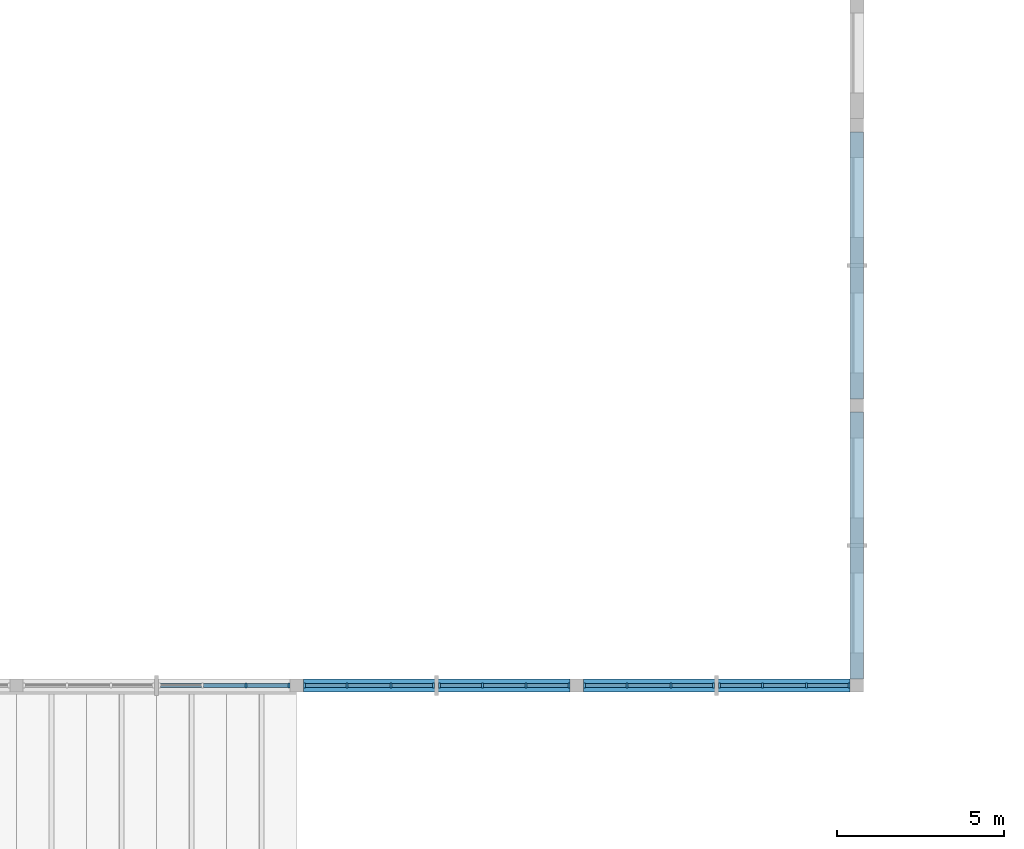
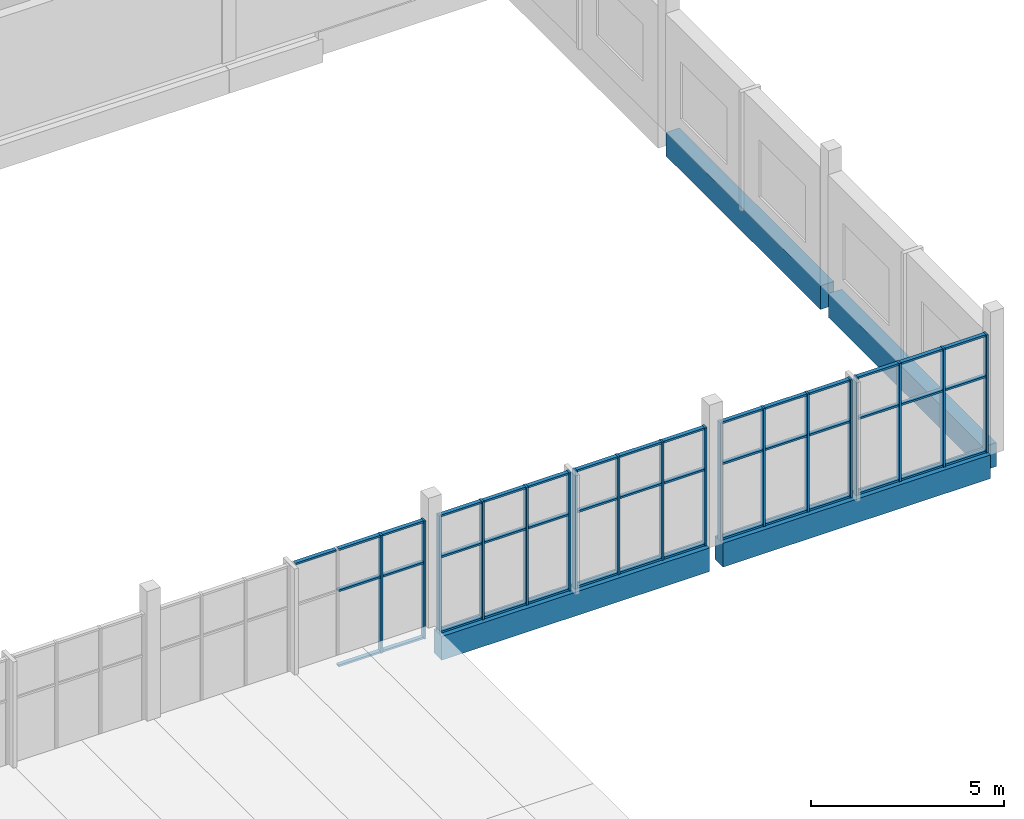
# One storey, part 20 of 60: 61 members, 4 beams, 5 elements without a shape of their own.
"""IFC4 building model written with IfcOpenShell, lengths in metres."""

from ifc_helpers import new_model, si_unit, direction, frame, origin, origin_2d, place, context, subcontext, project, spatial, rectangle, extrude, material, material_profile, profile_set, type_object, element, aggregate, save


model = new_model("IFC4")

# Units and contexts
model_context = context("Model", 3, precision=1e-05, world=origin(), true_north=direction((0.0, 1.0)))
body_context = subcontext(model_context, "Body", "Model", "MODEL_VIEW")
ifc_project = project(units=[si_unit("LENGTHUNIT", "METRE"), si_unit("AREAUNIT", "SQUARE_METRE"), si_unit("VOLUMEUNIT", "CUBIC_METRE"), si_unit("PLANEANGLEUNIT", "RADIAN"), si_unit("MASSUNIT", "GRAM", prefix="KILO")], contexts=[model_context])

# Site, building, storey
site_placement = place(None, origin())
site = spatial("IfcSite", under=ifc_project, at=site_placement, CompositionType="ELEMENT")
building_placement = place(site_placement, origin())
building = spatial("IfcBuilding", under=site, at=building_placement, Name="Fescue Hill Polytechnic", CompositionType="ELEMENT")
storey_placement = place(building_placement, frame((0.0, 0.0, 4.5)))
storey = spatial("IfcBuildingStorey", under=building, at=storey_placement, Name="L01", CompositionType="ELEMENT", Elevation=4.5)

# Beams
ifc_material_1 = material(Name="Concrete 35 MPa", Category="concrete")
ifc_material_profile_1 = material_profile(ifc_material_1, rectangle(XDim=0.39990234375, YDim=0.75, at=origin_2d()), Name="RC 400x750")
ifc_profile_set_1 = profile_set([ifc_material_profile_1], Name="Concrete 35 MPa")
beam_type = type_object("IfcBeamType", Name="Beam RC 400x750", PredefinedType="BEAM", material=ifc_profile_set_1)
for number, where, z_axis, x_axis, name in (
    (1, (143.0, 8.39990234375, -0.375), (1.0, 0.0, 0.0), (0.0, 1.0, 0.0), "BM-L01-0153"),
    (2, (151.39990234375, 8.39990234375, -0.375), (1.0, 0.0, 0.0), (0.0, 1.0, 0.0), "BM-L01-0154"),
    (3, (159.60009765625, 8.60009765625, -0.375), (0.0, 1.0, 0.0), (-1.0, 0.0, 0.0), "BM-L01-0156"),
    (4, (159.60009765625, 17.0, -0.375), (0.0, 1.0, 0.0), (-1.0, 0.0, 0.0), "BM-L01-0157"),
):
    element("IfcBeam", number, at=place(storey_placement, frame(where, z_axis=z_axis, x_axis=x_axis)), inside=storey, type_object=beam_type, Name=name, PredefinedType="BEAM", context=body_context, shape_type="SweptSolid", body=[
        extrude(rectangle(XDim=0.39990234375, YDim=0.75, at=origin_2d()), origin(), (0.0, 0.0, 1.0), 8.0),
    ])

# Curtain wall, members
ifc_material_2 = material(Name="Glass", Category="glass")
curtain_wall_type = type_object("IfcCurtainWallType", Name="Curtain wall structural glazing", PredefinedType="NOTDEFINED", material=ifc_material_2)
curtain_wall_1_placement = place(storey_placement, origin())
curtain_wall_1 = element("IfcCurtainWall", 5, at=curtain_wall_1_placement, inside=storey, type_object=curtain_wall_type, Name="CW-L01-V3-4", PredefinedType="NOTDEFINED")
ifc_material_3 = material(Name="Powder-coated aluminium", Category="aluminium")
ifc_material_profile_2 = material_profile(ifc_material_3, rectangle(XDim=0.159912109375, YDim=0.06005859375, at=origin_2d()), Name="Mullion aluminium 60x160")
ifc_profile_set_2 = profile_set([ifc_material_profile_2], Name="Powder-coated aluminium")
member_type_1 = type_object("IfcMemberType", Name="Mullion aluminium 60x160", PredefinedType="MULLION", material=ifc_profile_set_2)
member_1_placement = place(storey_placement, frame((141.28662109375, 8.39990234375, 0.0), z_axis=(0.0, 0.0, 1.0), x_axis=(0.0, 1.0, 0.0)))
member_1 = element("IfcMember", 6, at=member_1_placement, type_object=member_type_1, Name="CW57 mullion 3", PredefinedType="MULLION", context=body_context, shape_type="SweptSolid", body=[
    extrude(rectangle(XDim=0.159912109375, YDim=0.06005859375, at=origin_2d()), origin(), (0.0, 0.0, 1.0), 3.72998046875),
])
member_2_placement = place(storey_placement, frame((142.570068359375, 8.39990234375, 0.0), z_axis=(0.0, 0.0, 1.0), x_axis=(0.0, 1.0, 0.0)))
member_2 = element("IfcMember", 7, at=member_2_placement, type_object=member_type_1, Name="CW57 mullion 4", PredefinedType="MULLION", context=body_context, shape_type="SweptSolid", body=[
    extrude(rectangle(XDim=0.159912109375, YDim=0.06005859375, at=origin_2d()), origin(), (0.0, 0.0, 1.0), 3.72998046875),
])

curtain_wall_2_placement = place(storey_placement, origin())
curtain_wall_2 = element("IfcCurtainWall", 8, at=curtain_wall_2_placement, inside=storey, type_object=curtain_wall_type, Name="CW-L01-V3-5", PredefinedType="NOTDEFINED")
member_3_placement = place(storey_placement, frame((143.030029296875, 8.39990234375, 0.0), z_axis=(0.0, 0.0, 1.0), x_axis=(0.0, 1.0, 0.0)))
member_3 = element("IfcMember", 9, at=member_3_placement, type_object=member_type_1, Name="CW58 mullion 1", PredefinedType="MULLION", context=body_context, shape_type="SweptSolid", body=[
    extrude(rectangle(XDim=0.159912109375, YDim=0.06005859375, at=origin_2d()), origin(), (0.0, 0.0, 1.0), 3.72998046875),
])
member_4_placement = place(storey_placement, frame((144.313232421875, 8.39990234375, 0.0), z_axis=(0.0, 0.0, 1.0), x_axis=(0.0, 1.0, 0.0)))
member_4 = element("IfcMember", 10, at=member_4_placement, type_object=member_type_1, Name="CW58 mullion 2", PredefinedType="MULLION", context=body_context, shape_type="SweptSolid", body=[
    extrude(rectangle(XDim=0.159912109375, YDim=0.06005859375, at=origin_2d()), origin(), (0.0, 0.0, 1.0), 3.72998046875),
])
member_5_placement = place(storey_placement, frame((145.626708984375, 8.39990234375, 0.0), z_axis=(0.0, 0.0, 1.0), x_axis=(0.0, 1.0, 0.0)))
member_5 = element("IfcMember", 11, at=member_5_placement, type_object=member_type_1, Name="CW58 mullion 3", PredefinedType="MULLION", context=body_context, shape_type="SweptSolid", body=[
    extrude(rectangle(XDim=0.159912109375, YDim=0.06005859375, at=origin_2d()), origin(), (0.0, 0.0, 1.0), 3.72998046875),
])
member_6_placement = place(storey_placement, frame((146.909912109375, 8.39990234375, 0.0), z_axis=(0.0, 0.0, 1.0), x_axis=(0.0, 1.0, 0.0)))
member_6 = element("IfcMember", 12, at=member_6_placement, type_object=member_type_1, Name="CW58 mullion 4", PredefinedType="MULLION", context=body_context, shape_type="SweptSolid", body=[
    extrude(rectangle(XDim=0.159912109375, YDim=0.06005859375, at=origin_2d()), origin(), (0.0, 0.0, 1.0), 3.72998046875),
])

curtain_wall_3_placement = place(storey_placement, origin())
curtain_wall_3 = element("IfcCurtainWall", 13, at=curtain_wall_3_placement, inside=storey, type_object=curtain_wall_type, Name="CW-L01-V3-6", PredefinedType="NOTDEFINED")
member_7_placement = place(storey_placement, frame((147.090087890625, 8.39990234375, 0.0), z_axis=(0.0, 0.0, 1.0), x_axis=(0.0, 1.0, 0.0)))
member_7 = element("IfcMember", 14, at=member_7_placement, type_object=member_type_1, Name="CW59 mullion 1", PredefinedType="MULLION", context=body_context, shape_type="SweptSolid", body=[
    extrude(rectangle(XDim=0.159912109375, YDim=0.06005859375, at=origin_2d()), origin(), (0.0, 0.0, 1.0), 3.72998046875),
])
member_8_placement = place(storey_placement, frame((148.373291015625, 8.39990234375, 0.0), z_axis=(0.0, 0.0, 1.0), x_axis=(0.0, 1.0, 0.0)))
member_8 = element("IfcMember", 15, at=member_8_placement, type_object=member_type_1, Name="CW59 mullion 2", PredefinedType="MULLION", context=body_context, shape_type="SweptSolid", body=[
    extrude(rectangle(XDim=0.159912109375, YDim=0.06005859375, at=origin_2d()), origin(), (0.0, 0.0, 1.0), 3.72998046875),
])
member_9_placement = place(storey_placement, frame((149.686767578125, 8.39990234375, 0.0), z_axis=(0.0, 0.0, 1.0), x_axis=(0.0, 1.0, 0.0)))
member_9 = element("IfcMember", 16, at=member_9_placement, type_object=member_type_1, Name="CW59 mullion 3", PredefinedType="MULLION", context=body_context, shape_type="SweptSolid", body=[
    extrude(rectangle(XDim=0.159912109375, YDim=0.06005859375, at=origin_2d()), origin(), (0.0, 0.0, 1.0), 3.72998046875),
])
member_10_placement = place(storey_placement, frame((150.969970703125, 8.39990234375, 0.0), z_axis=(0.0, 0.0, 1.0), x_axis=(0.0, 1.0, 0.0)))
member_10 = element("IfcMember", 17, at=member_10_placement, type_object=member_type_1, Name="CW59 mullion 4", PredefinedType="MULLION", context=body_context, shape_type="SweptSolid", body=[
    extrude(rectangle(XDim=0.159912109375, YDim=0.06005859375, at=origin_2d()), origin(), (0.0, 0.0, 1.0), 3.72998046875),
])

curtain_wall_4_placement = place(storey_placement, origin())
curtain_wall_4 = element("IfcCurtainWall", 18, at=curtain_wall_4_placement, inside=storey, type_object=curtain_wall_type, Name="CW-L01-V3-7", PredefinedType="NOTDEFINED")
member_11_placement = place(storey_placement, frame((151.429931640625, 8.39990234375, 0.0), z_axis=(0.0, 0.0, 1.0), x_axis=(0.0, 1.0, 0.0)))
member_11 = element("IfcMember", 19, at=member_11_placement, type_object=member_type_1, Name="CW60 mullion 1", PredefinedType="MULLION", context=body_context, shape_type="SweptSolid", body=[
    extrude(rectangle(XDim=0.159912109375, YDim=0.06005859375, at=origin_2d()), origin(), (0.0, 0.0, 1.0), 3.72998046875),
])
member_12_placement = place(storey_placement, frame((152.71337890625, 8.39990234375, 0.0), z_axis=(0.0, 0.0, 1.0), x_axis=(0.0, 1.0, 0.0)))
member_12 = element("IfcMember", 20, at=member_12_placement, type_object=member_type_1, Name="CW60 mullion 2", PredefinedType="MULLION", context=body_context, shape_type="SweptSolid", body=[
    extrude(rectangle(XDim=0.159912109375, YDim=0.06005859375, at=origin_2d()), origin(), (0.0, 0.0, 1.0), 3.72998046875),
])
member_13_placement = place(storey_placement, frame((154.026611328125, 8.39990234375, 0.0), z_axis=(0.0, 0.0, 1.0), x_axis=(0.0, 1.0, 0.0)))
member_13 = element("IfcMember", 21, at=member_13_placement, type_object=member_type_1, Name="CW60 mullion 3", PredefinedType="MULLION", context=body_context, shape_type="SweptSolid", body=[
    extrude(rectangle(XDim=0.159912109375, YDim=0.06005859375, at=origin_2d()), origin(), (0.0, 0.0, 1.0), 3.72998046875),
])
member_14_placement = place(storey_placement, frame((155.31005859375, 8.39990234375, 0.0), z_axis=(0.0, 0.0, 1.0), x_axis=(0.0, 1.0, 0.0)))
member_14 = element("IfcMember", 22, at=member_14_placement, type_object=member_type_1, Name="CW60 mullion 4", PredefinedType="MULLION", context=body_context, shape_type="SweptSolid", body=[
    extrude(rectangle(XDim=0.159912109375, YDim=0.06005859375, at=origin_2d()), origin(), (0.0, 0.0, 1.0), 3.72998046875),
])

curtain_wall_5_placement = place(storey_placement, origin())
curtain_wall_5 = element("IfcCurtainWall", 23, at=curtain_wall_5_placement, inside=storey, type_object=curtain_wall_type, Name="CW-L01-V3-8", PredefinedType="NOTDEFINED")
member_15_placement = place(storey_placement, frame((155.489990234375, 8.39990234375, 0.0), z_axis=(0.0, 0.0, 1.0), x_axis=(0.0, 1.0, 0.0)))
member_15 = element("IfcMember", 24, at=member_15_placement, type_object=member_type_1, Name="CW61 mullion 1", PredefinedType="MULLION", context=body_context, shape_type="SweptSolid", body=[
    extrude(rectangle(XDim=0.159912109375, YDim=0.06005859375, at=origin_2d()), origin(), (0.0, 0.0, 1.0), 3.72998046875),
])
member_16_placement = place(storey_placement, frame((156.7734375, 8.39990234375, 0.0), z_axis=(0.0, 0.0, 1.0), x_axis=(0.0, 1.0, 0.0)))
member_16 = element("IfcMember", 25, at=member_16_placement, type_object=member_type_1, Name="CW61 mullion 2", PredefinedType="MULLION", context=body_context, shape_type="SweptSolid", body=[
    extrude(rectangle(XDim=0.159912109375, YDim=0.06005859375, at=origin_2d()), origin(), (0.0, 0.0, 1.0), 3.72998046875),
])
member_17_placement = place(storey_placement, frame((158.086669921875, 8.39990234375, 0.0), z_axis=(0.0, 0.0, 1.0), x_axis=(0.0, 1.0, 0.0)))
member_17 = element("IfcMember", 26, at=member_17_placement, type_object=member_type_1, Name="CW61 mullion 3", PredefinedType="MULLION", context=body_context, shape_type="SweptSolid", body=[
    extrude(rectangle(XDim=0.159912109375, YDim=0.06005859375, at=origin_2d()), origin(), (0.0, 0.0, 1.0), 3.72998046875),
])
member_18_placement = place(storey_placement, frame((159.3701171875, 8.39990234375, 0.0), z_axis=(0.0, 0.0, 1.0), x_axis=(0.0, 1.0, 0.0)))
member_18 = element("IfcMember", 27, at=member_18_placement, type_object=member_type_1, Name="CW61 mullion 4", PredefinedType="MULLION", context=body_context, shape_type="SweptSolid", body=[
    extrude(rectangle(XDim=0.159912109375, YDim=0.06005859375, at=origin_2d()), origin(), (0.0, 0.0, 1.0), 3.72998046875),
])

# Member
ifc_material_profile_3 = material_profile(ifc_material_3, rectangle(XDim=0.1201171875, YDim=0.06005859375, at=origin_2d()), Name="Transom aluminium 60x120")
ifc_profile_set_3 = profile_set([ifc_material_profile_3], Name="Powder-coated aluminium")
member_type_2 = type_object("IfcMemberType", Name="Transom aluminium 60x120", PredefinedType="USERDEFINED", material=ifc_profile_set_3)
member_19_placement = place(storey_placement, frame((138.719970703125, 8.39990234375, 3.699951171875), z_axis=(1.0, 0.0, 0.0), x_axis=(0.0, 1.0, 0.0)))
member_19 = element("IfcMember", 28, at=member_19_placement, type_object=member_type_2, Name="CW57 transom 1.3", ObjectType="TRANSOM", PredefinedType="USERDEFINED", context=body_context, shape_type="SweptSolid", body=[
    extrude(rectangle(XDim=0.1201171875, YDim=0.06005859375, at=origin_2d()), origin(), (0.0, 0.0, 1.0), 1.223388671875),
])

member_20_placement = place(storey_placement, frame((140.00341796875, 8.39990234375, 0.030029296875), z_axis=(1.0, 0.0, 0.0), x_axis=(0.0, 1.0, 0.0)))
member_20 = element("IfcMember", 29, at=member_20_placement, type_object=member_type_2, Name="CW57 transom 2.1", ObjectType="TRANSOM", PredefinedType="USERDEFINED", context=body_context, shape_type="SweptSolid", body=[
    extrude(rectangle(XDim=0.1201171875, YDim=0.06005859375, at=origin_2d()), origin(), (0.0, 0.0, 1.0), 1.253173828125),
])

member_21_placement = place(storey_placement, frame((140.00341796875, 8.39990234375, 2.39990234375), z_axis=(1.0, 0.0, 0.0), x_axis=(0.0, 1.0, 0.0)))
member_21 = element("IfcMember", 30, at=member_21_placement, type_object=member_type_2, Name="CW57 transom 2.2", ObjectType="TRANSOM", PredefinedType="USERDEFINED", context=body_context, shape_type="SweptSolid", body=[
    extrude(rectangle(XDim=0.1201171875, YDim=0.06005859375, at=origin_2d()), origin(), (0.0, 0.0, 1.0), 1.253173828125),
])

member_22_placement = place(storey_placement, frame((140.00341796875, 8.39990234375, 3.699951171875), z_axis=(1.0, 0.0, 0.0), x_axis=(0.0, 1.0, 0.0)))
member_22 = element("IfcMember", 31, at=member_22_placement, type_object=member_type_2, Name="CW57 transom 2.3", ObjectType="TRANSOM", PredefinedType="USERDEFINED", context=body_context, shape_type="SweptSolid", body=[
    extrude(rectangle(XDim=0.1201171875, YDim=0.06005859375, at=origin_2d()), origin(), (0.0, 0.0, 1.0), 1.253173828125),
])

member_23_placement = place(storey_placement, frame((141.316650390625, 8.39990234375, 0.030029296875), z_axis=(1.0, 0.0, 0.0), x_axis=(0.0, 1.0, 0.0)))
member_23 = element("IfcMember", 32, at=member_23_placement, type_object=member_type_2, Name="CW57 transom 3.1", ObjectType="TRANSOM", PredefinedType="USERDEFINED", context=body_context, shape_type="SweptSolid", body=[
    extrude(rectangle(XDim=0.1201171875, YDim=0.06005859375, at=origin_2d()), origin(), (0.0, 0.0, 1.0), 1.223388671875),
])

member_24_placement = place(storey_placement, frame((141.316650390625, 8.39990234375, 2.39990234375), z_axis=(1.0, 0.0, 0.0), x_axis=(0.0, 1.0, 0.0)))
member_24 = element("IfcMember", 33, at=member_24_placement, type_object=member_type_2, Name="CW57 transom 3.2", ObjectType="TRANSOM", PredefinedType="USERDEFINED", context=body_context, shape_type="SweptSolid", body=[
    extrude(rectangle(XDim=0.1201171875, YDim=0.06005859375, at=origin_2d()), origin(), (0.0, 0.0, 1.0), 1.223388671875),
])

member_25_placement = place(storey_placement, frame((141.316650390625, 8.39990234375, 3.699951171875), z_axis=(1.0, 0.0, 0.0), x_axis=(0.0, 1.0, 0.0)))
member_25 = element("IfcMember", 34, at=member_25_placement, type_object=member_type_2, Name="CW57 transom 3.3", ObjectType="TRANSOM", PredefinedType="USERDEFINED", context=body_context, shape_type="SweptSolid", body=[
    extrude(rectangle(XDim=0.1201171875, YDim=0.06005859375, at=origin_2d()), origin(), (0.0, 0.0, 1.0), 1.223388671875),
])

aggregate(curtain_wall_1, [member_1, member_2, member_19, member_20, member_21, member_22, member_23, member_24, member_25])

member_26_placement = place(storey_placement, frame((143.06005859375, 8.39990234375, 0.030029296875), z_axis=(1.0, 0.0, 0.0), x_axis=(0.0, 1.0, 0.0)))
member_26 = element("IfcMember", 35, at=member_26_placement, type_object=member_type_2, Name="CW58 transom 1.1", ObjectType="TRANSOM", PredefinedType="USERDEFINED", context=body_context, shape_type="SweptSolid", body=[
    extrude(rectangle(XDim=0.1201171875, YDim=0.06005859375, at=origin_2d()), origin(), (0.0, 0.0, 1.0), 1.223388671875),
])

member_27_placement = place(storey_placement, frame((143.06005859375, 8.39990234375, 2.39990234375), z_axis=(1.0, 0.0, 0.0), x_axis=(0.0, 1.0, 0.0)))
member_27 = element("IfcMember", 36, at=member_27_placement, type_object=member_type_2, Name="CW58 transom 1.2", ObjectType="TRANSOM", PredefinedType="USERDEFINED", context=body_context, shape_type="SweptSolid", body=[
    extrude(rectangle(XDim=0.1201171875, YDim=0.06005859375, at=origin_2d()), origin(), (0.0, 0.0, 1.0), 1.223388671875),
])

member_28_placement = place(storey_placement, frame((143.06005859375, 8.39990234375, 3.699951171875), z_axis=(1.0, 0.0, 0.0), x_axis=(0.0, 1.0, 0.0)))
member_28 = element("IfcMember", 37, at=member_28_placement, type_object=member_type_2, Name="CW58 transom 1.3", ObjectType="TRANSOM", PredefinedType="USERDEFINED", context=body_context, shape_type="SweptSolid", body=[
    extrude(rectangle(XDim=0.1201171875, YDim=0.06005859375, at=origin_2d()), origin(), (0.0, 0.0, 1.0), 1.223388671875),
])

member_29_placement = place(storey_placement, frame((144.34326171875, 8.39990234375, 0.030029296875), z_axis=(1.0, 0.0, 0.0), x_axis=(0.0, 1.0, 0.0)))
member_29 = element("IfcMember", 38, at=member_29_placement, type_object=member_type_2, Name="CW58 transom 2.1", ObjectType="TRANSOM", PredefinedType="USERDEFINED", context=body_context, shape_type="SweptSolid", body=[
    extrude(rectangle(XDim=0.1201171875, YDim=0.06005859375, at=origin_2d()), origin(), (0.0, 0.0, 1.0), 1.25341796875),
])

member_30_placement = place(storey_placement, frame((144.34326171875, 8.39990234375, 2.39990234375), z_axis=(1.0, 0.0, 0.0), x_axis=(0.0, 1.0, 0.0)))
member_30 = element("IfcMember", 39, at=member_30_placement, type_object=member_type_2, Name="CW58 transom 2.2", ObjectType="TRANSOM", PredefinedType="USERDEFINED", context=body_context, shape_type="SweptSolid", body=[
    extrude(rectangle(XDim=0.1201171875, YDim=0.06005859375, at=origin_2d()), origin(), (0.0, 0.0, 1.0), 1.25341796875),
])

member_31_placement = place(storey_placement, frame((144.34326171875, 8.39990234375, 3.699951171875), z_axis=(1.0, 0.0, 0.0), x_axis=(0.0, 1.0, 0.0)))
member_31 = element("IfcMember", 40, at=member_31_placement, type_object=member_type_2, Name="CW58 transom 2.3", ObjectType="TRANSOM", PredefinedType="USERDEFINED", context=body_context, shape_type="SweptSolid", body=[
    extrude(rectangle(XDim=0.1201171875, YDim=0.06005859375, at=origin_2d()), origin(), (0.0, 0.0, 1.0), 1.25341796875),
])

member_32_placement = place(storey_placement, frame((145.65673828125, 8.39990234375, 0.030029296875), z_axis=(1.0, 0.0, 0.0), x_axis=(0.0, 1.0, 0.0)))
member_32 = element("IfcMember", 41, at=member_32_placement, type_object=member_type_2, Name="CW58 transom 3.1", ObjectType="TRANSOM", PredefinedType="USERDEFINED", context=body_context, shape_type="SweptSolid", body=[
    extrude(rectangle(XDim=0.1201171875, YDim=0.06005859375, at=origin_2d()), origin(), (0.0, 0.0, 1.0), 1.22314453125),
])

member_33_placement = place(storey_placement, frame((145.65673828125, 8.39990234375, 2.39990234375), z_axis=(1.0, 0.0, 0.0), x_axis=(0.0, 1.0, 0.0)))
member_33 = element("IfcMember", 42, at=member_33_placement, type_object=member_type_2, Name="CW58 transom 3.2", ObjectType="TRANSOM", PredefinedType="USERDEFINED", context=body_context, shape_type="SweptSolid", body=[
    extrude(rectangle(XDim=0.1201171875, YDim=0.06005859375, at=origin_2d()), origin(), (0.0, 0.0, 1.0), 1.22314453125),
])

member_34_placement = place(storey_placement, frame((145.65673828125, 8.39990234375, 3.699951171875), z_axis=(1.0, 0.0, 0.0), x_axis=(0.0, 1.0, 0.0)))
member_34 = element("IfcMember", 43, at=member_34_placement, type_object=member_type_2, Name="CW58 transom 3.3", ObjectType="TRANSOM", PredefinedType="USERDEFINED", context=body_context, shape_type="SweptSolid", body=[
    extrude(rectangle(XDim=0.1201171875, YDim=0.06005859375, at=origin_2d()), origin(), (0.0, 0.0, 1.0), 1.22314453125),
])

aggregate(curtain_wall_2, [member_3, member_4, member_5, member_6, member_26, member_27, member_28, member_29, member_30, member_31, member_32, member_33, member_34])

member_35_placement = place(storey_placement, frame((147.1201171875, 8.39990234375, 0.030029296875), z_axis=(1.0, 0.0, 0.0), x_axis=(0.0, 1.0, 0.0)))
member_35 = element("IfcMember", 44, at=member_35_placement, type_object=member_type_2, Name="CW59 transom 1.1", ObjectType="TRANSOM", PredefinedType="USERDEFINED", context=body_context, shape_type="SweptSolid", body=[
    extrude(rectangle(XDim=0.1201171875, YDim=0.06005859375, at=origin_2d()), origin(), (0.0, 0.0, 1.0), 1.22314453125),
])

member_36_placement = place(storey_placement, frame((147.1201171875, 8.39990234375, 2.39990234375), z_axis=(1.0, 0.0, 0.0), x_axis=(0.0, 1.0, 0.0)))
member_36 = element("IfcMember", 45, at=member_36_placement, type_object=member_type_2, Name="CW59 transom 1.2", ObjectType="TRANSOM", PredefinedType="USERDEFINED", context=body_context, shape_type="SweptSolid", body=[
    extrude(rectangle(XDim=0.1201171875, YDim=0.06005859375, at=origin_2d()), origin(), (0.0, 0.0, 1.0), 1.22314453125),
])

member_37_placement = place(storey_placement, frame((147.1201171875, 8.39990234375, 3.699951171875), z_axis=(1.0, 0.0, 0.0), x_axis=(0.0, 1.0, 0.0)))
member_37 = element("IfcMember", 46, at=member_37_placement, type_object=member_type_2, Name="CW59 transom 1.3", ObjectType="TRANSOM", PredefinedType="USERDEFINED", context=body_context, shape_type="SweptSolid", body=[
    extrude(rectangle(XDim=0.1201171875, YDim=0.06005859375, at=origin_2d()), origin(), (0.0, 0.0, 1.0), 1.22314453125),
])

member_38_placement = place(storey_placement, frame((148.4033203125, 8.39990234375, 0.030029296875), z_axis=(1.0, 0.0, 0.0), x_axis=(0.0, 1.0, 0.0)))
member_38 = element("IfcMember", 47, at=member_38_placement, type_object=member_type_2, Name="CW59 transom 2.1", ObjectType="TRANSOM", PredefinedType="USERDEFINED", context=body_context, shape_type="SweptSolid", body=[
    extrude(rectangle(XDim=0.1201171875, YDim=0.06005859375, at=origin_2d()), origin(), (0.0, 0.0, 1.0), 1.25341796875),
])

member_39_placement = place(storey_placement, frame((148.4033203125, 8.39990234375, 2.39990234375), z_axis=(1.0, 0.0, 0.0), x_axis=(0.0, 1.0, 0.0)))
member_39 = element("IfcMember", 48, at=member_39_placement, type_object=member_type_2, Name="CW59 transom 2.2", ObjectType="TRANSOM", PredefinedType="USERDEFINED", context=body_context, shape_type="SweptSolid", body=[
    extrude(rectangle(XDim=0.1201171875, YDim=0.06005859375, at=origin_2d()), origin(), (0.0, 0.0, 1.0), 1.25341796875),
])

member_40_placement = place(storey_placement, frame((148.4033203125, 8.39990234375, 3.699951171875), z_axis=(1.0, 0.0, 0.0), x_axis=(0.0, 1.0, 0.0)))
member_40 = element("IfcMember", 49, at=member_40_placement, type_object=member_type_2, Name="CW59 transom 2.3", ObjectType="TRANSOM", PredefinedType="USERDEFINED", context=body_context, shape_type="SweptSolid", body=[
    extrude(rectangle(XDim=0.1201171875, YDim=0.06005859375, at=origin_2d()), origin(), (0.0, 0.0, 1.0), 1.25341796875),
])

member_41_placement = place(storey_placement, frame((149.716552734375, 8.39990234375, 0.030029296875), z_axis=(1.0, 0.0, 0.0), x_axis=(0.0, 1.0, 0.0)))
member_41 = element("IfcMember", 50, at=member_41_placement, type_object=member_type_2, Name="CW59 transom 3.1", ObjectType="TRANSOM", PredefinedType="USERDEFINED", context=body_context, shape_type="SweptSolid", body=[
    extrude(rectangle(XDim=0.1201171875, YDim=0.06005859375, at=origin_2d()), origin(), (0.0, 0.0, 1.0), 1.223388671875),
])

member_42_placement = place(storey_placement, frame((149.716552734375, 8.39990234375, 2.39990234375), z_axis=(1.0, 0.0, 0.0), x_axis=(0.0, 1.0, 0.0)))
member_42 = element("IfcMember", 51, at=member_42_placement, type_object=member_type_2, Name="CW59 transom 3.2", ObjectType="TRANSOM", PredefinedType="USERDEFINED", context=body_context, shape_type="SweptSolid", body=[
    extrude(rectangle(XDim=0.1201171875, YDim=0.06005859375, at=origin_2d()), origin(), (0.0, 0.0, 1.0), 1.223388671875),
])

member_43_placement = place(storey_placement, frame((149.716552734375, 8.39990234375, 3.699951171875), z_axis=(1.0, 0.0, 0.0), x_axis=(0.0, 1.0, 0.0)))
member_43 = element("IfcMember", 52, at=member_43_placement, type_object=member_type_2, Name="CW59 transom 3.3", ObjectType="TRANSOM", PredefinedType="USERDEFINED", context=body_context, shape_type="SweptSolid", body=[
    extrude(rectangle(XDim=0.1201171875, YDim=0.06005859375, at=origin_2d()), origin(), (0.0, 0.0, 1.0), 1.223388671875),
])

aggregate(curtain_wall_3, [member_7, member_8, member_9, member_10, member_35, member_36, member_37, member_38, member_39, member_40, member_41, member_42, member_43])

member_44_placement = place(storey_placement, frame((151.4599609375, 8.39990234375, 0.030029296875), z_axis=(1.0, 0.0, 0.0), x_axis=(0.0, 1.0, 0.0)))
member_44 = element("IfcMember", 53, at=member_44_placement, type_object=member_type_2, Name="CW60 transom 1.1", ObjectType="TRANSOM", PredefinedType="USERDEFINED", context=body_context, shape_type="SweptSolid", body=[
    extrude(rectangle(XDim=0.1201171875, YDim=0.06005859375, at=origin_2d()), origin(), (0.0, 0.0, 1.0), 1.223388671875),
])

member_45_placement = place(storey_placement, frame((151.4599609375, 8.39990234375, 2.39990234375), z_axis=(1.0, 0.0, 0.0), x_axis=(0.0, 1.0, 0.0)))
member_45 = element("IfcMember", 54, at=member_45_placement, type_object=member_type_2, Name="CW60 transom 1.2", ObjectType="TRANSOM", PredefinedType="USERDEFINED", context=body_context, shape_type="SweptSolid", body=[
    extrude(rectangle(XDim=0.1201171875, YDim=0.06005859375, at=origin_2d()), origin(), (0.0, 0.0, 1.0), 1.223388671875),
])

member_46_placement = place(storey_placement, frame((151.4599609375, 8.39990234375, 3.699951171875), z_axis=(1.0, 0.0, 0.0), x_axis=(0.0, 1.0, 0.0)))
member_46 = element("IfcMember", 55, at=member_46_placement, type_object=member_type_2, Name="CW60 transom 1.3", ObjectType="TRANSOM", PredefinedType="USERDEFINED", context=body_context, shape_type="SweptSolid", body=[
    extrude(rectangle(XDim=0.1201171875, YDim=0.06005859375, at=origin_2d()), origin(), (0.0, 0.0, 1.0), 1.223388671875),
])

member_47_placement = place(storey_placement, frame((152.743408203125, 8.39990234375, 0.030029296875), z_axis=(1.0, 0.0, 0.0), x_axis=(0.0, 1.0, 0.0)))
member_47 = element("IfcMember", 56, at=member_47_placement, type_object=member_type_2, Name="CW60 transom 2.1", ObjectType="TRANSOM", PredefinedType="USERDEFINED", context=body_context, shape_type="SweptSolid", body=[
    extrude(rectangle(XDim=0.1201171875, YDim=0.06005859375, at=origin_2d()), origin(), (0.0, 0.0, 1.0), 1.253173828125),
])

member_48_placement = place(storey_placement, frame((152.743408203125, 8.39990234375, 2.39990234375), z_axis=(1.0, 0.0, 0.0), x_axis=(0.0, 1.0, 0.0)))
member_48 = element("IfcMember", 57, at=member_48_placement, type_object=member_type_2, Name="CW60 transom 2.2", ObjectType="TRANSOM", PredefinedType="USERDEFINED", context=body_context, shape_type="SweptSolid", body=[
    extrude(rectangle(XDim=0.1201171875, YDim=0.06005859375, at=origin_2d()), origin(), (0.0, 0.0, 1.0), 1.253173828125),
])

member_49_placement = place(storey_placement, frame((152.743408203125, 8.39990234375, 3.699951171875), z_axis=(1.0, 0.0, 0.0), x_axis=(0.0, 1.0, 0.0)))
member_49 = element("IfcMember", 58, at=member_49_placement, type_object=member_type_2, Name="CW60 transom 2.3", ObjectType="TRANSOM", PredefinedType="USERDEFINED", context=body_context, shape_type="SweptSolid", body=[
    extrude(rectangle(XDim=0.1201171875, YDim=0.06005859375, at=origin_2d()), origin(), (0.0, 0.0, 1.0), 1.253173828125),
])

member_50_placement = place(storey_placement, frame((154.056640625, 8.39990234375, 0.030029296875), z_axis=(1.0, 0.0, 0.0), x_axis=(0.0, 1.0, 0.0)))
member_50 = element("IfcMember", 59, at=member_50_placement, type_object=member_type_2, Name="CW60 transom 3.1", ObjectType="TRANSOM", PredefinedType="USERDEFINED", context=body_context, shape_type="SweptSolid", body=[
    extrude(rectangle(XDim=0.1201171875, YDim=0.06005859375, at=origin_2d()), origin(), (0.0, 0.0, 1.0), 1.223388671875),
])

member_51_placement = place(storey_placement, frame((154.056640625, 8.39990234375, 2.39990234375), z_axis=(1.0, 0.0, 0.0), x_axis=(0.0, 1.0, 0.0)))
member_51 = element("IfcMember", 60, at=member_51_placement, type_object=member_type_2, Name="CW60 transom 3.2", ObjectType="TRANSOM", PredefinedType="USERDEFINED", context=body_context, shape_type="SweptSolid", body=[
    extrude(rectangle(XDim=0.1201171875, YDim=0.06005859375, at=origin_2d()), origin(), (0.0, 0.0, 1.0), 1.223388671875),
])

member_52_placement = place(storey_placement, frame((154.056640625, 8.39990234375, 3.699951171875), z_axis=(1.0, 0.0, 0.0), x_axis=(0.0, 1.0, 0.0)))
member_52 = element("IfcMember", 61, at=member_52_placement, type_object=member_type_2, Name="CW60 transom 3.3", ObjectType="TRANSOM", PredefinedType="USERDEFINED", context=body_context, shape_type="SweptSolid", body=[
    extrude(rectangle(XDim=0.1201171875, YDim=0.06005859375, at=origin_2d()), origin(), (0.0, 0.0, 1.0), 1.223388671875),
])

aggregate(curtain_wall_4, [member_11, member_12, member_13, member_14, member_44, member_45, member_46, member_47, member_48, member_49, member_50, member_51, member_52])

member_53_placement = place(storey_placement, frame((155.52001953125, 8.39990234375, 0.030029296875), z_axis=(1.0, 0.0, 0.0), x_axis=(0.0, 1.0, 0.0)))
member_53 = element("IfcMember", 62, at=member_53_placement, type_object=member_type_2, Name="CW61 transom 1.1", ObjectType="TRANSOM", PredefinedType="USERDEFINED", context=body_context, shape_type="SweptSolid", body=[
    extrude(rectangle(XDim=0.1201171875, YDim=0.06005859375, at=origin_2d()), origin(), (0.0, 0.0, 1.0), 1.223388671875),
])

member_54_placement = place(storey_placement, frame((155.52001953125, 8.39990234375, 2.39990234375), z_axis=(1.0, 0.0, 0.0), x_axis=(0.0, 1.0, 0.0)))
member_54 = element("IfcMember", 63, at=member_54_placement, type_object=member_type_2, Name="CW61 transom 1.2", ObjectType="TRANSOM", PredefinedType="USERDEFINED", context=body_context, shape_type="SweptSolid", body=[
    extrude(rectangle(XDim=0.1201171875, YDim=0.06005859375, at=origin_2d()), origin(), (0.0, 0.0, 1.0), 1.223388671875),
])

member_55_placement = place(storey_placement, frame((155.52001953125, 8.39990234375, 3.699951171875), z_axis=(1.0, 0.0, 0.0), x_axis=(0.0, 1.0, 0.0)))
member_55 = element("IfcMember", 64, at=member_55_placement, type_object=member_type_2, Name="CW61 transom 1.3", ObjectType="TRANSOM", PredefinedType="USERDEFINED", context=body_context, shape_type="SweptSolid", body=[
    extrude(rectangle(XDim=0.1201171875, YDim=0.06005859375, at=origin_2d()), origin(), (0.0, 0.0, 1.0), 1.223388671875),
])

member_56_placement = place(storey_placement, frame((156.80322265625, 8.39990234375, 0.030029296875), z_axis=(1.0, 0.0, 0.0), x_axis=(0.0, 1.0, 0.0)))
member_56 = element("IfcMember", 65, at=member_56_placement, type_object=member_type_2, Name="CW61 transom 2.1", ObjectType="TRANSOM", PredefinedType="USERDEFINED", context=body_context, shape_type="SweptSolid", body=[
    extrude(rectangle(XDim=0.1201171875, YDim=0.06005859375, at=origin_2d()), origin(), (0.0, 0.0, 1.0), 1.25341796875),
])

member_57_placement = place(storey_placement, frame((156.80322265625, 8.39990234375, 2.39990234375), z_axis=(1.0, 0.0, 0.0), x_axis=(0.0, 1.0, 0.0)))
member_57 = element("IfcMember", 66, at=member_57_placement, type_object=member_type_2, Name="CW61 transom 2.2", ObjectType="TRANSOM", PredefinedType="USERDEFINED", context=body_context, shape_type="SweptSolid", body=[
    extrude(rectangle(XDim=0.1201171875, YDim=0.06005859375, at=origin_2d()), origin(), (0.0, 0.0, 1.0), 1.25341796875),
])

member_58_placement = place(storey_placement, frame((156.80322265625, 8.39990234375, 3.699951171875), z_axis=(1.0, 0.0, 0.0), x_axis=(0.0, 1.0, 0.0)))
member_58 = element("IfcMember", 67, at=member_58_placement, type_object=member_type_2, Name="CW61 transom 2.3", ObjectType="TRANSOM", PredefinedType="USERDEFINED", context=body_context, shape_type="SweptSolid", body=[
    extrude(rectangle(XDim=0.1201171875, YDim=0.06005859375, at=origin_2d()), origin(), (0.0, 0.0, 1.0), 1.25341796875),
])

member_59_placement = place(storey_placement, frame((158.11669921875, 8.39990234375, 0.030029296875), z_axis=(1.0, 0.0, 0.0), x_axis=(0.0, 1.0, 0.0)))
member_59 = element("IfcMember", 68, at=member_59_placement, type_object=member_type_2, Name="CW61 transom 3.1", ObjectType="TRANSOM", PredefinedType="USERDEFINED", context=body_context, shape_type="SweptSolid", body=[
    extrude(rectangle(XDim=0.1201171875, YDim=0.06005859375, at=origin_2d()), origin(), (0.0, 0.0, 1.0), 1.223388671875),
])

member_60_placement = place(storey_placement, frame((158.11669921875, 8.39990234375, 2.39990234375), z_axis=(1.0, 0.0, 0.0), x_axis=(0.0, 1.0, 0.0)))
member_60 = element("IfcMember", 69, at=member_60_placement, type_object=member_type_2, Name="CW61 transom 3.2", ObjectType="TRANSOM", PredefinedType="USERDEFINED", context=body_context, shape_type="SweptSolid", body=[
    extrude(rectangle(XDim=0.1201171875, YDim=0.06005859375, at=origin_2d()), origin(), (0.0, 0.0, 1.0), 1.223388671875),
])

member_61_placement = place(storey_placement, frame((158.11669921875, 8.39990234375, 3.699951171875), z_axis=(1.0, 0.0, 0.0), x_axis=(0.0, 1.0, 0.0)))
member_61 = element("IfcMember", 70, at=member_61_placement, type_object=member_type_2, Name="CW61 transom 3.3", ObjectType="TRANSOM", PredefinedType="USERDEFINED", context=body_context, shape_type="SweptSolid", body=[
    extrude(rectangle(XDim=0.1201171875, YDim=0.06005859375, at=origin_2d()), origin(), (0.0, 0.0, 1.0), 1.223388671875),
])

aggregate(curtain_wall_5, [member_15, member_16, member_17, member_18, member_53, member_54, member_55, member_56, member_57, member_58, member_59, member_60, member_61])

save(model, "model.ifc")
